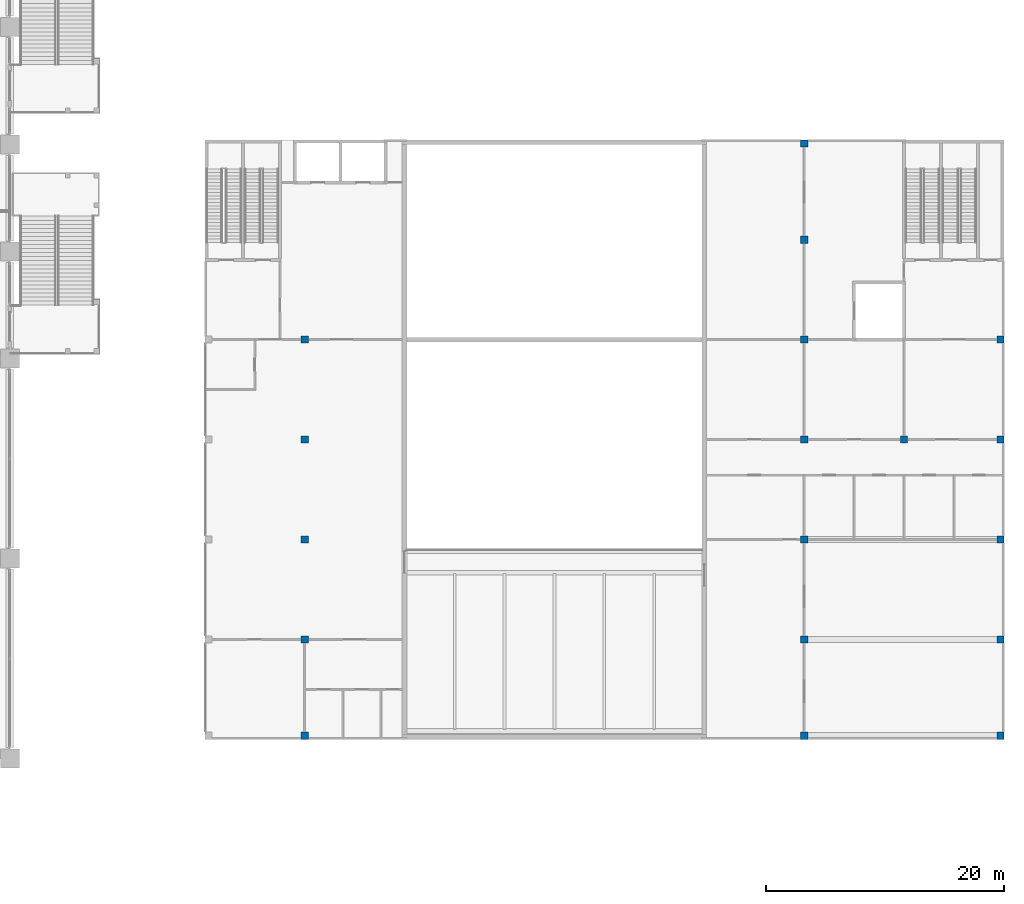
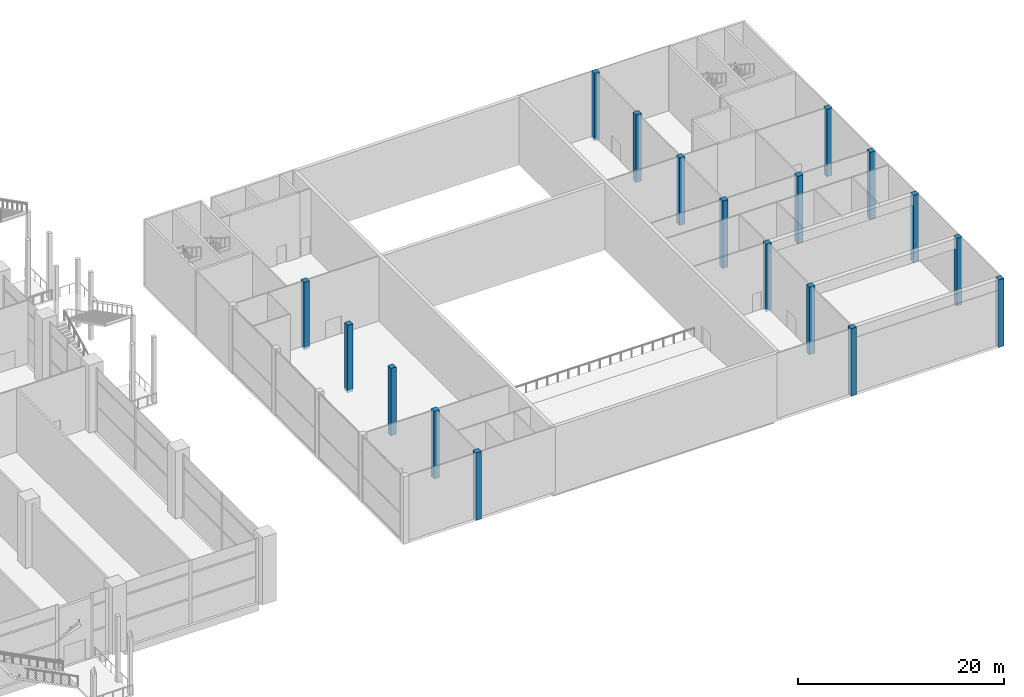
# One storey, part 3 of 52: 18 columns.
"""IFC4 building model written with IfcOpenShell, lengths in metres."""

import ifcopenshell
import ifcopenshell.guid

model = None  # the IFC model being written
_history = None  # IfcOwnerHistory: only IFC2X3 demands one
_inside = {}  # id of a spatial element -> (the spatial element, [elements in it])
_under = {}  # id of a project, library or spatial element -> (it, [spatial elements below it])
_declared = {}  # id of a project -> (the project, [libraries it declares])
_typed = {}  # id of a type object -> (the type object, [elements of that type])
_made_of = {}  # id of a material, layer set ... -> (it, [elements and type objects made of it])


def new_model(schema):
    """Start an empty IFC model of exactly this schema.

    Asked for "IFC4X3", IfcOpenShell would pick the latest addendum, in which some entities
    have other attributes; the version numbers below select the first issue.
    IFC2X3 requires an IfcOwnerHistory on every rooted entity: one is made here for all.
    """
    global model, _history
    if schema == "IFC4X3":
        model = ifcopenshell.file(schema_version=(4, 3, 0, 0))
    else:
        model = ifcopenshell.file(schema=schema)
    _inside.clear()
    _under.clear()
    _declared.clear()
    _typed.clear()
    _made_of.clear()
    _history = None
    if model.schema == "IFC2X3":
        org = make("IfcOrganization", Name="unknown")
        user = make(
            "IfcPersonAndOrganization",
            ThePerson=make("IfcPerson", FamilyName="unknown"),
            TheOrganization=org,
        )
        app = make(
            "IfcApplication",
            ApplicationDeveloper=org,
            Version="unknown",
            ApplicationFullName="unknown",
            ApplicationIdentifier="unknown",
        )
        _history = make(
            "IfcOwnerHistory",
            OwningUser=user,
            OwningApplication=app,
            ChangeAction="ADDED",
            CreationDate=0,
        )
    return model


def make(cls, **values):
    """One entity of the class cls with the attributes given. An attribute that is None is left unset."""
    return model.create_entity(
        cls, **{name: value for name, value in values.items() if value is not None}
    )


def rooted(cls, **values):
    """An entity with a GlobalId (a new one), such as an element, a storey or a relation."""
    return make(cls, GlobalId=ifcopenshell.guid.new(), OwnerHistory=_history, **values)


def si_unit(unit_type, name, prefix=None):
    """IfcSIUnit, for example si_unit("LENGTHUNIT", "METRE", prefix="MILLI")."""
    return make("IfcSIUnit", UnitType=unit_type, Prefix=prefix, Name=name)


def assignment(units):
    """IfcUnitAssignment: the units of a project."""
    return None if units is None else make("IfcUnitAssignment", Units=units)


def point(xyz):
    """IfcCartesianPoint."""
    return None if xyz is None else make("IfcCartesianPoint", Coordinates=xyz)


def direction(xyz):
    """IfcDirection."""
    return None if xyz is None else make("IfcDirection", DirectionRatios=xyz)


def frame(location, z_axis=None, x_axis=None):
    """IfcAxis2Placement3D, a coordinate frame: its origin and axes. An axis left out is left unset."""
    return make(
        "IfcAxis2Placement3D",
        Location=point(location),
        Axis=direction(z_axis),
        RefDirection=direction(x_axis),
    )


def frame_2d(location, x_axis=None):
    """IfcAxis2Placement2D, a coordinate frame in the plane: its origin and x axis."""
    return make(
        "IfcAxis2Placement2D", Location=point(location), RefDirection=direction(x_axis)
    )


def origin():
    """The frame at (0, 0, 0) with its axes left unset."""
    return frame((0.0, 0.0, 0.0))


def origin_2d():
    """The frame at (0, 0) in the plane with its x axis left unset."""
    return frame_2d((0.0, 0.0))


def place(relative_to, where):
    """IfcLocalPlacement: puts the frame where relative to a parent placement (None: the world)."""
    return make(
        "IfcLocalPlacement", PlacementRelTo=relative_to, RelativePlacement=where
    )


def context(
    kind, dimensions, precision=None, world=None, true_north=None, identifier=None
):
    """IfcGeometricRepresentationContext, for example the 3D "Model" context."""
    return make(
        "IfcGeometricRepresentationContext",
        ContextIdentifier=identifier,
        ContextType=kind,
        CoordinateSpaceDimension=dimensions,
        Precision=precision,
        WorldCoordinateSystem=world,
        TrueNorth=true_north,
    )


def subcontext(parent, identifier, kind, view, scale=None):
    """IfcGeometricRepresentationSubContext, for example "Body" below "Model"."""
    return make(
        "IfcGeometricRepresentationSubContext",
        ContextIdentifier=identifier,
        ContextType=kind,
        ParentContext=parent,
        TargetScale=scale,
        TargetView=view,
    )


def project(units=None, contexts=None):
    """IfcProject with its units and contexts."""
    return rooted(
        "IfcProject",
        Name="project",
        RepresentationContexts=contexts,
        UnitsInContext=assignment(units),
    )


def spatial(cls, under=None, at=None, **own):
    """A site, building, storey or space (cls), placed at a placement, below another one or the project."""
    s = rooted(cls, ObjectPlacement=at, **own)
    if under is not None:
        _under.setdefault(under.id(), (under, []))[1].append(s)
    return s


def profile(cls, at=None, kind="AREA", **sizes):
    """A parametric profile (cls). Its sizes go by their IFC names, for example OverallWidth=200.0."""
    return make(cls, ProfileType=kind, Position=at, **sizes)


def rectangle(**sizes):
    """IfcRectangleProfileDef."""
    return profile("IfcRectangleProfileDef", **sizes)


def extrude(swept, where, along, depth):
    """IfcExtrudedAreaSolid: the profile swept, set in the frame where, extruded along a direction by depth."""
    return make(
        "IfcExtrudedAreaSolid",
        SweptArea=swept,
        Position=where,
        ExtrudedDirection=direction(along),
        Depth=depth,
    )


def shape(context_of_items, identifier, shape_type, items):
    """IfcShapeRepresentation: the items that make up one representation, for example the "Body"."""
    return make(
        "IfcShapeRepresentation",
        ContextOfItems=context_of_items,
        RepresentationIdentifier=identifier,
        RepresentationType=shape_type,
        Items=items,
    )


def material(Name=None, Category=None):
    """IfcMaterial."""
    return make("IfcMaterial", Name=Name, Category=Category)


def material_profile(
    of_material, cross_section, Name=None, Category=None, Priority=None
):
    """IfcMaterialProfile: a cross section and its material."""
    return make(
        "IfcMaterialProfile",
        Name=Name,
        Material=of_material,
        Profile=cross_section,
        Priority=Priority,
        Category=Category,
    )


def profile_set(profiles, Name=None, composite=None):
    """IfcMaterialProfileSet."""
    return make(
        "IfcMaterialProfileSet",
        Name=Name,
        MaterialProfiles=profiles,
        CompositeProfile=composite,
    )


def made_of(thing, what):
    """Note that an element or type object is made of a material, layer set ...; save() writes the relation."""
    if what is not None:
        _made_of.setdefault(what.id(), (what, []))[1].append(thing)
    return thing


def type_object(cls, material=None, **own):
    """A type object (cls), such as IfcWallType, which elements share."""
    return made_of(rooted(cls, **own), material)


def element(
    cls,
    number,
    at=None,
    inside=None,
    cuts=None,
    type_object=None,
    material=None,
    context=None,
    identifier="Body",
    shape_type=None,
    held_by="IfcProductDefinitionShape",
    body=None,
    shapes=None,
    **own,
):
    """One element of the class cls, such as IfcWall. Its Tag is "e" and its number.

    at: its placement. inside: the storey or other place that contains it. cuts: it is an
    opening in that element (IfcRelVoidsElement). A single representation is given by context,
    identifier, shape_type and body (its items); several are given by shapes. held_by: the class
    of the entity that holds the representations. save() writes the other relations.
    """
    e = rooted(cls, Tag="e%d" % number, ObjectPlacement=at, **own)
    if body is not None:
        shapes = [shape(context, identifier, shape_type, body)]
    if shapes is not None:
        e.Representation = make(held_by, Representations=shapes)
    if inside is not None:
        _inside.setdefault(inside.id(), (inside, []))[1].append(e)
    if cuts is not None:
        rooted(
            "IfcRelVoidsElement", RelatingBuildingElement=cuts, RelatedOpeningElement=e
        )
    if type_object is not None:
        _typed.setdefault(type_object.id(), (type_object, []))[1].append(e)
    return made_of(e, material)


def aggregate(whole, parts):
    """IfcRelAggregates: a whole, such as a stair, and the parts it consists of."""
    return rooted("IfcRelAggregates", RelatingObject=whole, RelatedObjects=parts)


def save(model, path):
    """Write the relations noted so far, then the file.

    IfcRelAggregates (storeys below a building ...), IfcRelContainedInSpatialStructure (elements
    in a storey), IfcRelDefinesByType, IfcRelAssociatesMaterial and IfcRelDeclares: one each for
    every whole, place, type object, material and project.
    """
    for whole, parts in _under.values():
        aggregate(whole, parts)
    for where, things in _inside.values():
        rooted(
            "IfcRelContainedInSpatialStructure",
            RelatedElements=things,
            RelatingStructure=where,
        )
    for kind, things in _typed.values():
        rooted("IfcRelDefinesByType", RelatedObjects=things, RelatingType=kind)
    for what, things in _made_of.values():
        rooted("IfcRelAssociatesMaterial", RelatedObjects=things, RelatingMaterial=what)
    for by, libraries in _declared.values():
        rooted("IfcRelDeclares", RelatingContext=by, RelatedDefinitions=libraries)
    model.write(path)


model = new_model("IFC4")

# Units and contexts
model_context = context("Model", 3, precision=1e-05, world=origin(), true_north=direction((0.0, 1.0)))
body_context = subcontext(model_context, "Body", "Model", "MODEL_VIEW")
ifc_project = project(units=[si_unit("LENGTHUNIT", "METRE"), si_unit("AREAUNIT", "SQUARE_METRE"), si_unit("VOLUMEUNIT", "CUBIC_METRE"), si_unit("PLANEANGLEUNIT", "RADIAN"), si_unit("MASSUNIT", "GRAM", prefix="KILO")], contexts=[model_context])

# Site, building, storey
site_placement = place(None, origin())
site = spatial("IfcSite", under=ifc_project, at=site_placement, CompositionType="ELEMENT")
building_placement = place(site_placement, origin())
building = spatial("IfcBuilding", under=site, at=building_placement, Name="Candeia Pilgrim Tower and Theatre", CompositionType="ELEMENT")
storey_placement = place(building_placement, frame((0.0, 0.0, 9.0)))
storey = spatial("IfcBuildingStorey", under=building, at=storey_placement, Name="L01", CompositionType="ELEMENT", Elevation=9.0)

# Columns
ifc_material = material(Name="Concrete C40/50", Category="concrete")
ifc_material_profile = material_profile(ifc_material, rectangle(XDim=0.60009765625, YDim=0.60009765625, at=origin_2d()))
ifc_profile_set = profile_set([ifc_material_profile], Name="Concrete C40/50")
column_type = type_object("IfcColumnType", Name="Theatre column 600x600", PredefinedType="COLUMN", material=ifc_profile_set)
for number, where, z_axis, x_axis, name in (
    (1, (184.39990234375, 66.300048828125, -0.300048828125), (0.0, 0.0, 1.0), (1.0, 0.0, 0.0), "Column TC-A2 L01"),
    (2, (184.39990234375, 74.39990234375, -0.300048828125), (0.0, 0.0, 1.0), (1.0, 0.0, 0.0), "Column TC-B2 L01"),
    (3, (184.39990234375, 82.800048828125, -0.300048828125), (0.0, 0.0, 1.0), (1.0, 0.0, 0.0), "Column TC-C2 L01"),
    (4, (184.39990234375, 91.199951171875, -0.300048828125), (0.0, 0.0, 1.0), (1.0, 0.0, 0.0), "Column TC-D2 L01"),
    (5, (184.39990234375, 99.60009765625, -0.300048828125), (0.0, 0.0, 1.0), (1.0, 0.0, 0.0), "Column TC-E2 L01"),
    (6, (226.39990234375, 66.300048828125, -0.300048828125), (0.0, 0.0, 1.0), (1.0, 0.0, 0.0), "Column TC-A7 L01"),
    (7, (226.39990234375, 74.39990234375, -0.300048828125), (0.0, 0.0, 1.0), (1.0, 0.0, 0.0), "Column TC-B7 L01"),
    (8, (226.39990234375, 82.800048828125, -0.300048828125), (0.0, 0.0, 1.0), (1.0, 0.0, 0.0), "Column TC-C7 L01"),
    (9, (226.39990234375, 91.199951171875, -0.300048828125), (0.0, 0.0, 1.0), (1.0, 0.0, 0.0), "Column TC-D7 L01"),
    (10, (226.39990234375, 99.60009765625, -0.300048828125), (0.0, 0.0, 1.0), (1.0, 0.0, 0.0), "Column TC-E7 L01"),
    (11, (226.39990234375, 108.0, -0.300048828125), (0.0, 0.0, 1.0), (1.0, 0.0, 0.0), "Column TC-F7 L01"),
    (12, (226.39990234375, 116.10009765625, -0.300048828125), (0.0, 0.0, 1.0), (1.0, 0.0, 0.0), "Column TC-G7 L01"),
    (13, (234.800048828125, 91.199951171875, -0.300048828125), (0.0, 0.0, 1.0), (1.0, 0.0, 0.0), "Column TC-D8 L01"),
    (14, (242.89990234375, 66.300048828125, -0.300048828125), (0.0, 0.0, 1.0), (1.0, 0.0, 0.0), "Column TC-A9 L01"),
    (15, (242.89990234375, 74.39990234375, -0.300048828125), (0.0, 0.0, 1.0), (1.0, 0.0, 0.0), "Column TC-B9 L01"),
    (16, (242.89990234375, 82.800048828125, -0.300048828125), (0.0, 0.0, 1.0), (1.0, 0.0, 0.0), "Column TC-C9 L01"),
    (17, (242.89990234375, 91.199951171875, -0.300048828125), (0.0, 0.0, 1.0), (1.0, 0.0, 0.0), "Column TC-D9 L01"),
    (18, (242.89990234375, 99.60009765625, -0.300048828125), (0.0, 0.0, 1.0), (1.0, 0.0, 0.0), "Column TC-E9 L01"),
):
    element("IfcColumn", number, at=place(storey_placement, frame(where, z_axis=z_axis, x_axis=x_axis)), inside=storey, type_object=column_type, Name=name, PredefinedType="COLUMN", context=body_context, shape_type="SweptSolid", body=[
        extrude(rectangle(XDim=0.60009765625, YDim=0.60009765625, at=origin_2d()), origin(), (0.0, 0.0, 1.0), 8.0),
    ])

save(model, "model.ifc")
